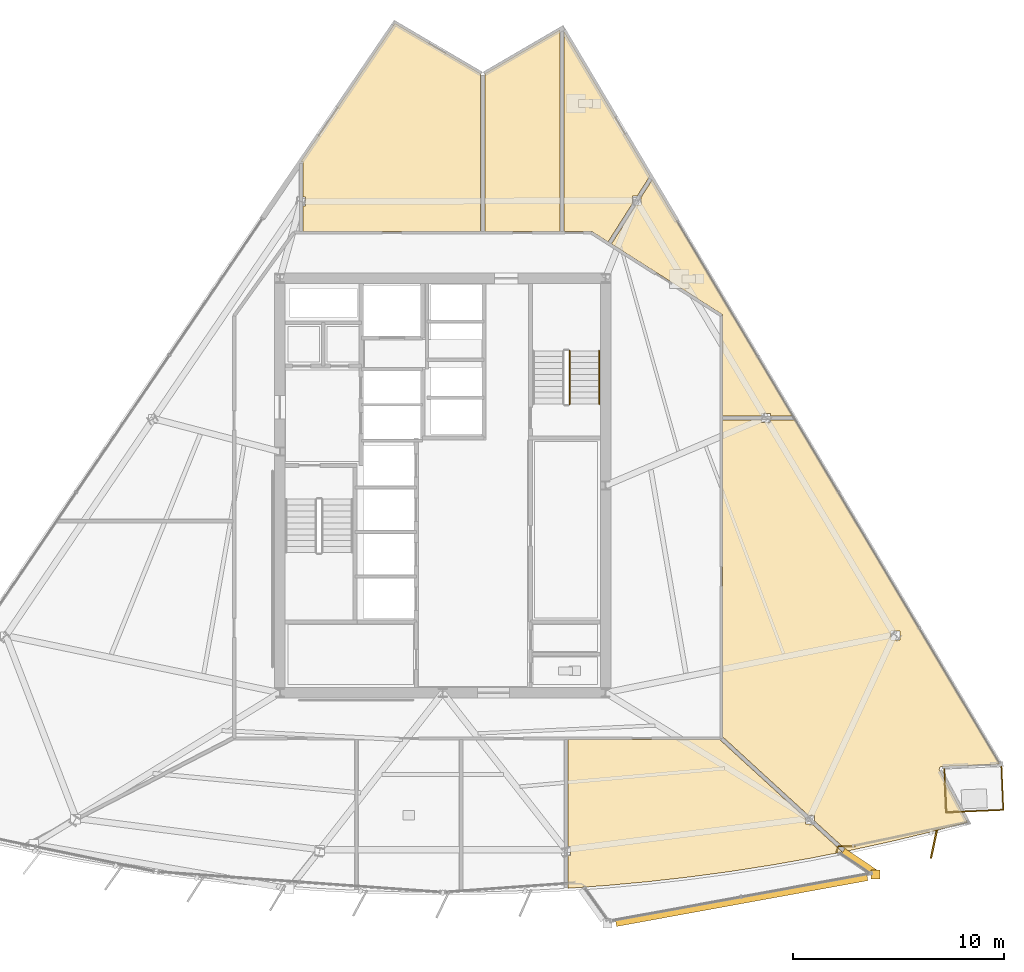
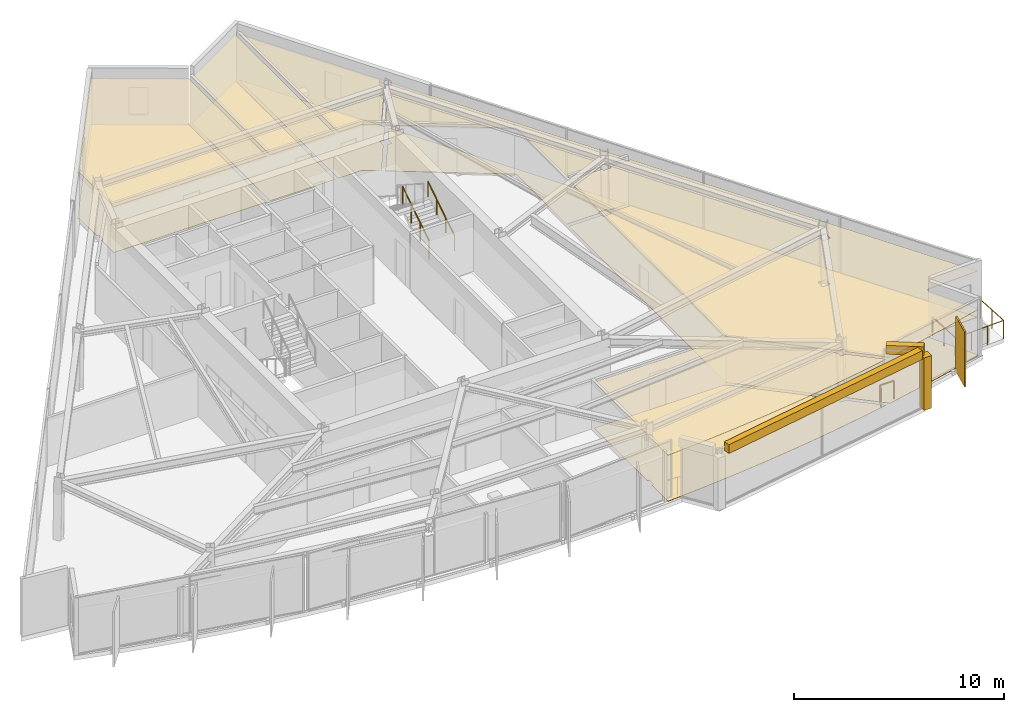
# One storey, part 12 of 13: 15 coverings, 6 railings, 1 shading device.
"""IFC4 building model written with IfcOpenShell, lengths in metres."""

from ifc_helpers import new_model, si_unit, direction, frame, origin, origin_2d, place, context, subcontext, project, spatial, polyline, rectangle, circle, outline, extrude, material, layer, layer_set, type_object, element, save


model = new_model("IFC4")

# Units and contexts
model_context = context("Model", 3, precision=1e-05, world=origin(), true_north=direction((0.0, 1.0)))
body_context = subcontext(model_context, "Body", "Model", "MODEL_VIEW")
ifc_project = project(units=[si_unit("LENGTHUNIT", "METRE"), si_unit("AREAUNIT", "SQUARE_METRE"), si_unit("VOLUMEUNIT", "CUBIC_METRE"), si_unit("PLANEANGLEUNIT", "RADIAN"), si_unit("MASSUNIT", "GRAM", prefix="KILO")], contexts=[model_context])

# Site, building, storey
site_placement = place(None, origin())
site = spatial("IfcSite", under=ifc_project, at=site_placement, CompositionType="ELEMENT")
building_placement = place(site_placement, origin())
building = spatial("IfcBuilding", under=site, at=building_placement, Name="Savorim Split Tower", CompositionType="ELEMENT")
storey_placement = place(building_placement, frame((0.0, 0.0, 174.60009765625)))
storey = spatial("IfcBuildingStorey", under=building, at=storey_placement, Name="L46", CompositionType="ELEMENT", Elevation=174.60009765625)

# Coverings
ifc_material_1 = material(Name="Mineral Fibre Acoustic Ceiling")
ifc_layer_1 = layer(ifc_material_1, 0.02490234375)
ifc_layer_set_1 = layer_set([ifc_layer_1], Name="COV-CEIL-25")
covering_type_1 = type_object("IfcCoveringType", Name="COV-CEIL-25", PredefinedType="CEILING", material=ifc_layer_set_1)
covering_1_placement = place(storey_placement, frame((0.0, 0.0, 2.669921875)))
element("IfcCovering", 1, at=covering_1_placement, inside=storey, type_object=covering_type_1, Name="L46 Maker Workshop Acoustic Ceiling", PredefinedType="CEILING", context=body_context, shape_type="SweptSolid", body=[
    extrude(outline(polyline([(11.6279296875, -18.1171875), (13.5537109375, -17.859619140625), (15.4736328125, -17.5625), (17.38720703125, -17.226318359375), (18.901123046875, -16.92822265625), (17.464599609375, -15.613037109375), (17.166015625, -15.613037109375), (17.166015625, -15.339599609375), (13.134521484375, -11.64892578125), (13.102783203125, -11.619873046875), (13.10009765625, -11.6201171875), (5.918701171875, -11.6201171875), (5.918701171875, -16.67724609375), (6.0341796875, -16.67724609375), (6.0341796875, -17.09619140625), (5.918701171875, -17.09619140625), (5.918701171875, -18.60302734375), (5.918701171875, -18.646484375), (7.7626953125, -18.51416015625), (9.697509765625, -18.33544921875), (11.6279296875, -18.1171875)])), origin(), (0.0, 0.0, 1.0), 0.02490234375),
])
covering_2_placement = place(storey_placement, frame((0.0, 0.0, 2.669921875)))
element("IfcCovering", 2, at=covering_2_placement, inside=storey, type_object=covering_type_1, Name="L46 Maker Workshop Acoustic Ceiling", PredefinedType="CEILING", context=body_context, shape_type="SweptSolid", body=[
    extrude(outline(polyline([(23.5703125, -12.8935546875), (23.58154296875, -12.891357421875), (23.593017578125, -12.890380859375), (26.335205078125, -12.773681640625), (16.6396484375, 3.531494140625), (16.6396484375, 3.49853515625), (15.500732421875, 3.49853515625), (15.500732421875, 3.384033203125), (15.079833984375, 3.384033203125), (15.079833984375, 3.49853515625), (13.239990234375, 3.49853515625), (13.239990234375, -11.47998046875), (13.239501953125, -11.487548828125), (17.2880859375, -15.194091796875), (17.5869140625, -15.194091796875), (17.5869140625, -15.46728515625), (19.03515625, -16.79345703125), (19.105224609375, -16.857666015625), (19.0712890625, -16.894775390625), (19.29345703125, -16.85107421875), (21.19140625, -16.436767578125), (23.080810546875, -15.98388671875), (24.814208984375, -15.530517578125), (23.492431640625, -13.06689453125), (23.4873046875, -13.056396484375), (23.4833984375, -13.045654296875), (23.480712890625, -13.034423828125), (23.478759765625, -13.023193359375), (23.47802734375, -13.01171875), (23.478515625, -13.0), (23.47998046875, -12.988525390625), (23.482666015625, -12.977294921875), (23.486328125, -12.96630859375), (23.4912109375, -12.955810546875), (23.496826171875, -12.94580078125), (23.50341796875, -12.936279296875), (23.510986328125, -12.927734375), (23.519287109375, -12.919677734375), (23.5283203125, -12.91259765625), (23.5380859375, -12.90625), (23.54833984375, -12.90087890625), (23.55908203125, -12.896728515625), (23.5703125, -12.8935546875)]), holes=[polyline([(21.616943359375, -6.90185546875), (21.616943359375, -6.48291015625), (21.196044921875, -6.48291015625), (21.196044921875, -6.90185546875), (21.616943359375, -6.90185546875)])]), origin(), (0.0, 0.0, 1.0), 0.02490234375),
])
covering_3_placement = place(storey_placement, frame((0.0, 0.0, 2.669921875)))
element("IfcCovering", 3, at=covering_3_placement, inside=storey, type_object=covering_type_1, Name="L46 Shared Bathroom Acoustic Ceiling", PredefinedType="CEILING", context=body_context, shape_type="SweptSolid", body=[
    extrude(outline(polyline([(15.500732421875, 3.802978515625), (15.500732421875, 3.688720703125), (16.544677734375, 3.688720703125), (16.54638671875, 3.688720703125), (9.90673828125, 14.8544921875), (9.384521484375, 14.033447265625), (9.384521484375, 13.670166015625), (9.1533203125, 13.670166015625), (7.978759765625, 11.823486328125), (13.175048828125, 8.51806640625), (13.1865234375, 8.510009765625), (13.197265625, 8.500732421875), (13.206787109375, 8.490478515625), (13.21533203125, 8.479248046875), (13.22265625, 8.46728515625), (13.22900390625, 8.45458984375), (13.233642578125, 8.44140625), (13.2373046875, 8.427978515625), (13.2392578125, 8.4140625), (13.239990234375, 8.39990234375), (13.239990234375, 3.688720703125), (15.079833984375, 3.688720703125), (15.079833984375, 3.802978515625), (15.500732421875, 3.802978515625)])), origin(), (0.0, 0.0, 1.0), 0.02490234375),
])
covering_4_placement = place(storey_placement, frame((0.0, 0.0, 2.669921875)))
element("IfcCovering", 4, at=covering_4_placement, inside=storey, type_object=covering_type_1, Name="L46 Shared Bathroom Acoustic Ceiling", PredefinedType="CEILING", context=body_context, shape_type="SweptSolid", body=[
    extrude(outline(polyline([(9.7421875, 14.94970703125), (9.793212890625, 15.02978515625), (9.80810546875, 15.020263671875), (5.730712890625, 21.87744140625), (5.730712890625, 12.419921875), (7.0, 12.419921875), (7.01318359375, 12.41943359375), (7.0263671875, 12.41748046875), (7.0390625, 12.414306640625), (7.051513671875, 12.41015625), (7.063720703125, 12.40478515625), (7.0751953125, 12.398193359375), (7.818603515625, 11.92529296875), (8.963623046875, 13.7255859375), (8.963623046875, 14.089111328125), (9.19482421875, 14.089111328125), (9.7421875, 14.94970703125)])), origin(), (0.0, 0.0, 1.0), 0.02490234375),
])
covering_5_placement = place(storey_placement, frame((0.0, 0.0, 2.669921875)))
element("IfcCovering", 5, at=covering_5_placement, inside=storey, type_object=covering_type_1, Name="L46 Quiet Study Room Acoustic Ceiling", PredefinedType="CEILING", context=body_context, shape_type="SweptSolid", body=[
    extrude(outline(polyline([(1.987548828125, 12.419921875), (5.540771484375, 12.419921875), (5.540771484375, 21.939208984375), (1.987548828125, 19.8681640625), (1.987548828125, 12.419921875)])), origin(), (0.0, 0.0, 1.0), 0.02490234375),
])
covering_6_placement = place(storey_placement, frame((0.0, 0.0, 2.669921875)))
element("IfcCovering", 6, at=covering_6_placement, inside=storey, type_object=covering_type_1, Name="L46 Maker Workshop Acoustic Ceiling", PredefinedType="CEILING", context=body_context, shape_type="SweptSolid", body=[
    extrude(outline(polyline([(-6.61376953125, 12.419921875), (1.797607421875, 12.419921875), (1.797607421875, 19.86767578125), (-2.259521484375, 22.252197265625), (-6.70458984375, 15.7177734375), (-6.61376953125, 15.7177734375), (-6.61376953125, 14.040283203125), (-6.498291015625, 14.040283203125), (-6.498291015625, 13.621337890625), (-6.61376953125, 13.621337890625), (-6.61376953125, 12.419921875)])), origin(), (0.0, 0.0, 1.0), 0.02490234375),
])
ifc_material_2 = material(Name="Porcelain Stoneware Flooring", Category="masonry")
ifc_layer_2 = layer(ifc_material_2, 0.02001953125)
ifc_layer_set_2 = layer_set([ifc_layer_2], Name="COV-FLOR-20")
covering_type_2 = type_object("IfcCoveringType", Name="COV-FLOR-20", PredefinedType="FLOORING", material=ifc_layer_set_2)
covering_7_placement = place(storey_placement, origin())
element("IfcCovering", 7, at=covering_7_placement, inside=storey, type_object=covering_type_2, Name="L46 Maker Workshop Porcelain Flooring", PredefinedType="FLOORING", context=body_context, shape_type="SweptSolid", body=[
    extrude(outline(polyline([(11.6279296875, -18.1171875), (13.5537109375, -17.859619140625), (15.4736328125, -17.5625), (17.38720703125, -17.226318359375), (18.901123046875, -16.92822265625), (17.464599609375, -15.613037109375), (17.166015625, -15.613037109375), (17.166015625, -15.339599609375), (13.134521484375, -11.64892578125), (13.102783203125, -11.619873046875), (13.10009765625, -11.6201171875), (5.918701171875, -11.6201171875), (5.918701171875, -16.67724609375), (6.0341796875, -16.67724609375), (6.0341796875, -17.09619140625), (5.918701171875, -17.09619140625), (5.918701171875, -18.60302734375), (5.918701171875, -18.646484375), (7.7626953125, -18.51416015625), (9.697509765625, -18.33544921875), (11.6279296875, -18.1171875)])), origin(), (0.0, 0.0, 1.0), 0.02001953125),
])
covering_8_placement = place(storey_placement, origin())
element("IfcCovering", 8, at=covering_8_placement, inside=storey, type_object=covering_type_2, Name="L46 Maker Workshop Porcelain Flooring", PredefinedType="FLOORING", context=body_context, shape_type="SweptSolid", body=[
    extrude(outline(polyline([(23.5703125, -12.8935546875), (23.58154296875, -12.891357421875), (23.593017578125, -12.890380859375), (26.335205078125, -12.773681640625), (16.6396484375, 3.531494140625), (16.6396484375, 3.49853515625), (15.500732421875, 3.49853515625), (15.500732421875, 3.384033203125), (15.079833984375, 3.384033203125), (15.079833984375, 3.49853515625), (13.239990234375, 3.49853515625), (13.239990234375, -11.47998046875), (13.239501953125, -11.487548828125), (17.2880859375, -15.194091796875), (17.5869140625, -15.194091796875), (17.5869140625, -15.46728515625), (19.03515625, -16.79345703125), (19.105224609375, -16.857666015625), (19.0712890625, -16.894775390625), (19.29345703125, -16.85107421875), (21.19140625, -16.436767578125), (23.080810546875, -15.98388671875), (24.814208984375, -15.530517578125), (23.492431640625, -13.06689453125), (23.4873046875, -13.056396484375), (23.4833984375, -13.045654296875), (23.480712890625, -13.034423828125), (23.478759765625, -13.023193359375), (23.47802734375, -13.01171875), (23.478515625, -13.0), (23.47998046875, -12.988525390625), (23.482666015625, -12.977294921875), (23.486328125, -12.96630859375), (23.4912109375, -12.955810546875), (23.496826171875, -12.94580078125), (23.50341796875, -12.936279296875), (23.510986328125, -12.927734375), (23.519287109375, -12.919677734375), (23.5283203125, -12.91259765625), (23.5380859375, -12.90625), (23.54833984375, -12.90087890625), (23.55908203125, -12.896728515625), (23.5703125, -12.8935546875)]), holes=[polyline([(21.616943359375, -6.90185546875), (21.616943359375, -6.48291015625), (21.196044921875, -6.48291015625), (21.196044921875, -6.90185546875), (21.616943359375, -6.90185546875)])]), origin(), (0.0, 0.0, 1.0), 0.02001953125),
])
covering_9_placement = place(storey_placement, origin())
element("IfcCovering", 9, at=covering_9_placement, inside=storey, type_object=covering_type_2, Name="L46 Shared Bathroom Porcelain Flooring", PredefinedType="FLOORING", context=body_context, shape_type="SweptSolid", body=[
    extrude(outline(polyline([(15.500732421875, 3.802978515625), (15.500732421875, 3.688720703125), (16.544677734375, 3.688720703125), (16.54638671875, 3.688720703125), (9.90673828125, 14.8544921875), (9.384521484375, 14.033447265625), (9.384521484375, 13.670166015625), (9.1533203125, 13.670166015625), (7.978759765625, 11.823486328125), (13.175048828125, 8.51806640625), (13.1865234375, 8.510009765625), (13.197265625, 8.500732421875), (13.206787109375, 8.490478515625), (13.21533203125, 8.479248046875), (13.22265625, 8.46728515625), (13.22900390625, 8.45458984375), (13.233642578125, 8.44140625), (13.2373046875, 8.427978515625), (13.2392578125, 8.4140625), (13.239990234375, 8.39990234375), (13.239990234375, 3.688720703125), (15.079833984375, 3.688720703125), (15.079833984375, 3.802978515625), (15.500732421875, 3.802978515625)])), origin(), (0.0, 0.0, 1.0), 0.02001953125),
])
covering_10_placement = place(storey_placement, origin())
element("IfcCovering", 10, at=covering_10_placement, inside=storey, type_object=covering_type_2, Name="L46 Shared Bathroom Porcelain Flooring", PredefinedType="FLOORING", context=body_context, shape_type="SweptSolid", body=[
    extrude(outline(polyline([(9.7421875, 14.94970703125), (9.793212890625, 15.02978515625), (9.80810546875, 15.020263671875), (5.730712890625, 21.87744140625), (5.730712890625, 12.419921875), (7.0, 12.419921875), (7.01318359375, 12.41943359375), (7.0263671875, 12.41748046875), (7.0390625, 12.414306640625), (7.051513671875, 12.41015625), (7.063720703125, 12.40478515625), (7.0751953125, 12.398193359375), (7.818603515625, 11.92529296875), (8.963623046875, 13.7255859375), (8.963623046875, 14.089111328125), (9.19482421875, 14.089111328125), (9.7421875, 14.94970703125)])), origin(), (0.0, 0.0, 1.0), 0.02001953125),
])
covering_11_placement = place(storey_placement, origin())
element("IfcCovering", 11, at=covering_11_placement, inside=storey, type_object=covering_type_2, Name="L46 Quiet Study Room Porcelain Flooring", PredefinedType="FLOORING", context=body_context, shape_type="SweptSolid", body=[
    extrude(outline(polyline([(1.987548828125, 12.419921875), (5.540771484375, 12.419921875), (5.540771484375, 21.939208984375), (1.987548828125, 19.8681640625), (1.987548828125, 12.419921875)])), origin(), (0.0, 0.0, 1.0), 0.02001953125),
])
covering_12_placement = place(storey_placement, origin())
element("IfcCovering", 12, at=covering_12_placement, inside=storey, type_object=covering_type_2, Name="L46 Maker Workshop Porcelain Flooring", PredefinedType="FLOORING", context=body_context, shape_type="SweptSolid", body=[
    extrude(outline(polyline([(-6.61376953125, 12.419921875), (1.797607421875, 12.419921875), (1.797607421875, 19.86767578125), (-2.259521484375, 22.252197265625), (-6.70458984375, 15.7177734375), (-6.61376953125, 15.7177734375), (-6.61376953125, 14.040283203125), (-6.498291015625, 14.040283203125), (-6.498291015625, 13.621337890625), (-6.61376953125, 13.621337890625), (-6.61376953125, 12.419921875)])), origin(), (0.0, 0.0, 1.0), 0.02001953125),
])
ifc_material_3 = material(Name="White Porcelain Architectural Cladding")
ifc_layer_3 = layer(ifc_material_3, 0.139892578125)
ifc_layer_set_3 = layer_set([ifc_layer_3], Name="COV-FRM-WHITE")
covering_type_3 = type_object("IfcCoveringType", Name="COV-FRM-WHITE", PredefinedType="CLADDING", material=ifc_layer_set_3)
covering_13_placement = place(storey_placement, frame((0.0, 0.0, 3.079833984375)))
element("IfcCovering", 13, at=covering_13_placement, inside=storey, type_object=covering_type_3, Name="L46 Cantilevered Lounge White Upper Cornice Band F", PredefinedType="CLADDING", context=body_context, shape_type="SweptSolid", body=[
    extrude(outline(polyline([(8.2216796875, -20.453369140625), (20.108642578125, -18.2841796875), (20.047607421875, -17.94970703125), (8.16064453125, -20.118896484375), (8.2216796875, -20.453369140625)])), origin(), (0.0, 0.0, 1.0), 0.510009765625),
])
covering_14_placement = place(storey_placement, frame((0.0, 0.0, 3.079833984375)))
element("IfcCovering", 14, at=covering_14_placement, inside=storey, type_object=covering_type_3, Name="L46 Cantilevered Lounge White Upper Cornice Band E", PredefinedType="CLADDING", context=body_context, shape_type="SweptSolid", body=[
    extrude(outline(polyline([(20.51904296875, -17.768798828125), (19.026123046875, -16.76318359375), (18.836181640625, -17.045166015625), (20.3291015625, -18.05078125), (20.51904296875, -17.768798828125)])), origin(), (0.0, 0.0, 1.0), 0.510009765625),
])
covering_15_placement = place(storey_placement, frame((0.0, 0.0, 0.010009765625)))
element("IfcCovering", 15, at=covering_15_placement, inside=storey, type_object=covering_type_3, Name="L46 Cantilevered Lounge White Frame Corner Post 2", PredefinedType="CLADDING", context=body_context, shape_type="SweptSolid", body=[
    extrude(outline(polyline([(20.252685546875, -18.205810546875), (20.672607421875, -18.205810546875), (20.672607421875, -17.785888671875), (20.252685546875, -17.785888671875), (20.252685546875, -18.205810546875)])), origin(), (0.0, 0.0, 1.0), 3.0498046875),
])

# Railings
ifc_material_4 = material(Name="Galvanised Painted Steel Balustrade", Category="steel")
railing_type_1 = type_object("IfcRailingType", Name="RLG-BAL-1100", PredefinedType="BALUSTRADE", material=ifc_material_4)
railing_1_placement = place(storey_placement, frame((18.61474609375, -16.939208984375, 0.0)))
element("IfcRailing", 16, at=railing_1_placement, inside=storey, type_object=railing_type_1, Name="L46 Cantilevered Lounge East Edge Closure Guard", PredefinedType="BALUSTRADE", context=body_context, shape_type="SweptSolid", body=[
    extrude(circle(Radius=0.02392578125, at=origin_2d()), frame((0.0, 0.0, 1.076171875), z_axis=(0.306415654855, 0.951897813034, 0.0), x_axis=(-0.951897813034, 0.306415654855, 0.0)), (0.0, 0.0, 1.0), 0.29150390625),
    extrude(circle(Radius=0.02392578125, at=origin_2d()), frame((0.08935546875, 0.277587890625, 1.076171875), z_axis=(1.0, 0.0, 0.0), x_axis=(0.0, 1.0, 0.0)), (0.0, 0.0, 1.0), 0.780029296875),
    extrude(circle(Radius=0.02099609375, at=origin_2d()), origin(), (0.0, 0.0, 1.0), 1.052001953125),
    extrude(circle(Radius=0.02099609375, at=origin_2d()), frame((0.08935546875, 0.277587890625, 0.0)), (0.0, 0.0, 1.0), 1.052001953125),
    extrude(circle(Radius=0.02099609375, at=origin_2d()), frame((0.869384765625, 0.277587890625, 0.0)), (0.0, 0.0, 1.0), 1.052001953125),
])
railing_2_placement = place(storey_placement, frame((26.4208984375, -12.89013671875, 0.0)))
element("IfcRailing", 17, at=railing_2_placement, inside=storey, type_object=railing_type_1, Name="L46 Tree Balcony Guardrail SE-1", PredefinedType="BALUSTRADE", context=body_context, shape_type="SweptSolid", body=[
    extrude(circle(Radius=0.02392578125, at=origin_2d()), frame((0.0, 0.0, 1.076171875), z_axis=(0.042517246, -0.999095733047, 0.0), x_axis=(0.999095733047, 0.042517246, 0.0)), (0.0, 0.0, 1.0), 2.050048828125),
    extrude(circle(Radius=0.02099609375, at=origin_2d()), origin(), (0.0, 0.0, 1.0), 1.052001953125),
    extrude(circle(Radius=0.02099609375, at=origin_2d()), frame((0.04345703125, -1.02392578125, 0.0)), (0.0, 0.0, 1.0), 1.052001953125),
    extrude(circle(Radius=0.02099609375, at=origin_2d()), frame((0.087158203125, -2.048095703125, 0.0)), (0.0, 0.0, 1.0), 1.052001953125),
])
railing_3_placement = place(storey_placement, frame((26.508056640625, -14.938232421875, 0.0)))
element("IfcRailing", 18, at=railing_3_placement, inside=storey, type_object=railing_type_1, Name="L46 Tree Balcony Guardrail SE-2", PredefinedType="BALUSTRADE", context=body_context, shape_type="SweptSolid", body=[
    extrude(circle(Radius=0.02392578125, at=origin_2d()), frame((0.0, 0.0, 1.076171875), z_axis=(-0.99909624843, -0.042505133503, 0.0), x_axis=(0.042505133503, -0.99909624843, 0.0)), (0.0, 0.0, 1.0), 2.705322265625),
    extrude(circle(Radius=0.02099609375, at=origin_2d()), origin(), (0.0, 0.0, 1.0), 1.052001953125),
    extrude(circle(Radius=0.02099609375, at=origin_2d()), frame((-0.90087890625, -0.038330078125, 0.0)), (0.0, 0.0, 1.0), 1.052001953125),
    extrude(circle(Radius=0.02099609375, at=origin_2d()), frame((-1.802001953125, -0.07666015625, 0.0)), (0.0, 0.0, 1.0), 1.052001953125),
    extrude(circle(Radius=0.02099609375, at=origin_2d()), frame((-2.702880859375, -0.114990234375, 0.0)), (0.0, 0.0, 1.0), 1.052001953125),
])
railing_4_placement = place(storey_placement, frame((23.80517578125, -15.05322265625, 0.0)))
element("IfcRailing", 19, at=railing_4_placement, inside=storey, type_object=railing_type_1, Name="L46 Tree Balcony Guardrail SE-3", PredefinedType="BALUSTRADE", context=body_context, shape_type="SweptSolid", body=[
    extrude(circle(Radius=0.02392578125, at=origin_2d()), frame((0.0, 0.0, 1.076171875), z_axis=(-0.042517246, 0.999095733047, 0.0), x_axis=(-0.999095733047, -0.042517246, 0.0)), (0.0, 0.0, 1.0), 2.050048828125),
    extrude(circle(Radius=0.02099609375, at=origin_2d()), origin(), (0.0, 0.0, 1.0), 1.052001953125),
    extrude(circle(Radius=0.02099609375, at=origin_2d()), frame((-0.04345703125, 1.02392578125, 0.0)), (0.0, 0.0, 1.0), 1.052001953125),
    extrude(circle(Radius=0.02099609375, at=origin_2d()), frame((-0.087158203125, 2.048095703125, 0.0)), (0.0, 0.0, 1.0), 1.052001953125),
])
railing_type_2 = type_object("IfcRailingType", Name="RLG-HR-900", PredefinedType="HANDRAIL", material=ifc_material_4)
railing_5_placement = place(storey_placement, frame((7.39990234375, 4.25, 0.179931640625)))
element("IfcRailing", 20, at=railing_5_placement, inside=storey, type_object=railing_type_2, Name="L46 ST-2 stair handrail 1", PredefinedType="HANDRAIL", context=body_context, shape_type="SweptSolid", body=[
    extrude(circle(Radius=0.02392578125, at=origin_2d()), frame((0.0, 0.0, 0.8759765625), z_axis=(0.0, 0.841199657755, 0.540724639528), x_axis=(-1.0, 0.0, 0.0)), (0.0, 0.0, 1.0), 2.995849609375),
    extrude(circle(Radius=0.02099609375, at=origin_2d()), origin(), (0.0, 0.0, 1.0), 0.851806640625),
    extrude(circle(Radius=0.02099609375, at=origin_2d()), frame((0.0, 0.840087890625, 0.5400390625)), (0.0, 0.0, 1.0), 0.851806640625),
    extrude(circle(Radius=0.02099609375, at=origin_2d()), frame((0.0, 1.679931640625, 1.079833984375)), (0.0, 0.0, 1.0), 0.851806640625),
    extrude(circle(Radius=0.02099609375, at=origin_2d()), frame((0.0, 2.52001953125, 1.619873046875)), (0.0, 0.0, 1.0), 0.851806640625),
])
railing_type_3 = type_object("IfcRailingType", Name="RLG-STG-1100", PredefinedType="BALUSTRADE", material=ifc_material_4)
railing_6_placement = place(storey_placement, frame((6.0, 4.25, 0.179931640625)))
element("IfcRailing", 21, at=railing_6_placement, inside=storey, type_object=railing_type_3, Name="L46 ST-2 stair guard 1", PredefinedType="BALUSTRADE", context=body_context, shape_type="SweptSolid", body=[
    extrude(circle(Radius=0.02392578125, at=origin_2d()), frame((0.0, 0.0, 1.076171875), z_axis=(0.0, 0.841199657755, 0.540724639528), x_axis=(-1.0, 0.0, 0.0)), (0.0, 0.0, 1.0), 2.995849609375),
    extrude(circle(Radius=0.02099609375, at=origin_2d()), origin(), (0.0, 0.0, 1.0), 1.052001953125),
    extrude(circle(Radius=0.02099609375, at=origin_2d()), frame((0.0, 0.840087890625, 0.5400390625)), (0.0, 0.0, 1.0), 1.052001953125),
    extrude(circle(Radius=0.02099609375, at=origin_2d()), frame((0.0, 1.679931640625, 1.079833984375)), (0.0, 0.0, 1.0), 1.052001953125),
    extrude(circle(Radius=0.02099609375, at=origin_2d()), frame((0.0, 2.52001953125, 1.619873046875)), (0.0, 0.0, 1.0), 1.052001953125),
])

# Shading device
ifc_material_5 = material(Name="Terracotta Ceramic-Coated Aluminium Fin", Category="masonry")
shading_device_type = type_object("IfcShadingDeviceType", Name="SHD-FIN-1360", PredefinedType="USERDEFINED", material=ifc_material_5)
shading_device_placement = place(storey_placement, frame((23.2255859375, -16.56201171875, -0.2001953125), z_axis=(0.0, 0.0, 1.0), x_axis=(-0.206721626106, -0.978399800337, 0.0)))
element("IfcShadingDevice", 22, at=shading_device_placement, inside=storey, type_object=shading_device_type, Name="L46 Sawtooth Shading Fin 13", ObjectType="FIN", PredefinedType="USERDEFINED", context=body_context, shape_type="SweptSolid", body=[
    extrude(rectangle(XDim=1.360107421875, YDim=0.080078125, at=origin_2d()), origin(), (0.0, 0.0, 1.0), 3.199951171875),
])

save(model, "model.ifc")
